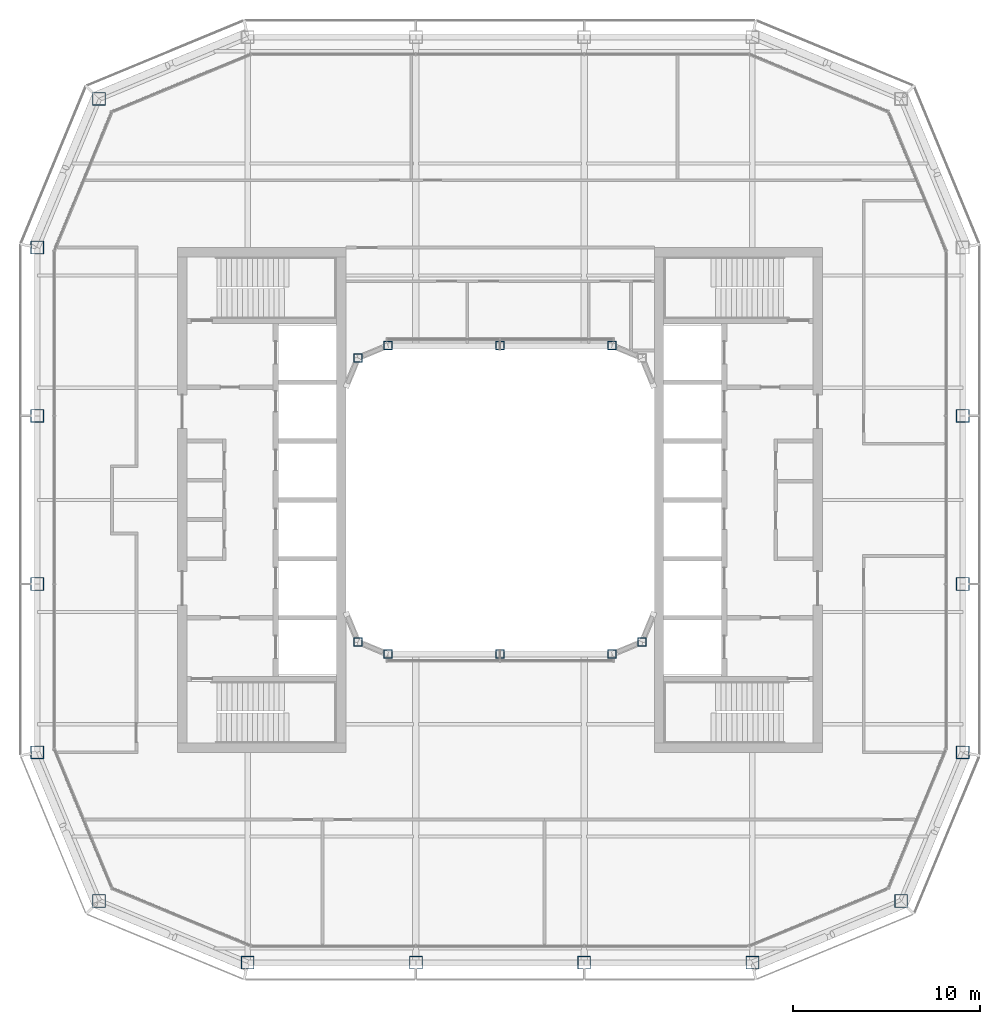
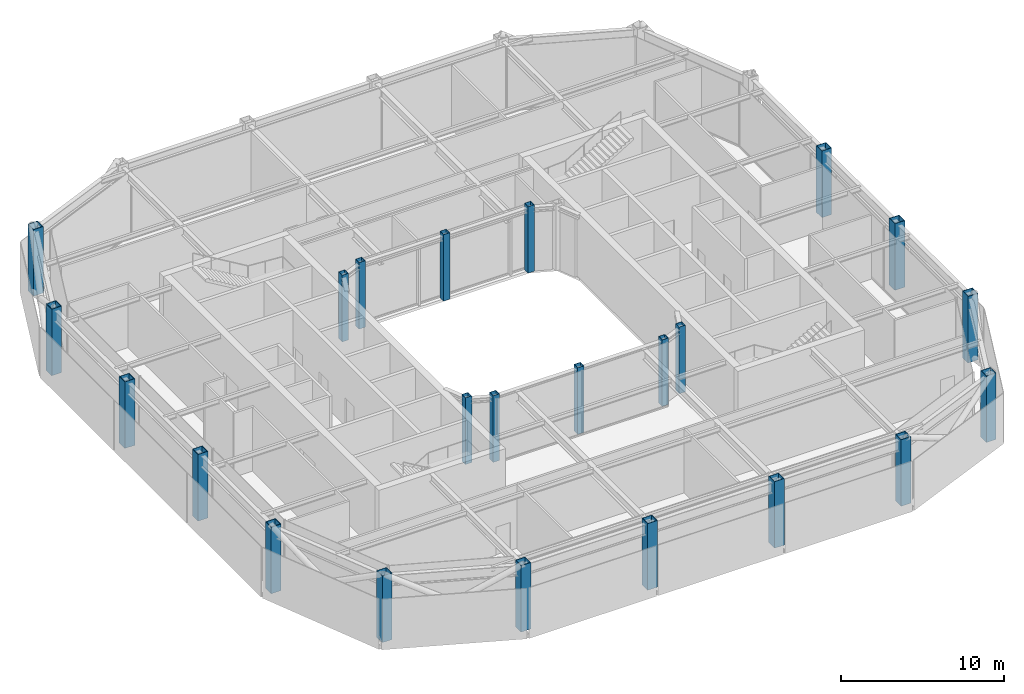
# One storey, part 1 of 17: 23 columns.
"""IFC4 building model written with IfcOpenShell, lengths in metres."""

from ifc_helpers import new_model, si_unit, direction, frame, origin, origin_2d, place, context, subcontext, project, spatial, hollow_rectangle, extrude, material, material_profile, profile_set, type_object, element, save


model = new_model("IFC4")

# Units and contexts
model_context = context("Model", 3, precision=1e-05, world=origin(), true_north=direction((0.0, 1.0)))
body_context = subcontext(model_context, "Body", "Model", "MODEL_VIEW")
ifc_project = project(units=[si_unit("LENGTHUNIT", "METRE"), si_unit("AREAUNIT", "SQUARE_METRE"), si_unit("VOLUMEUNIT", "CUBIC_METRE"), si_unit("PLANEANGLEUNIT", "RADIAN"), si_unit("MASSUNIT", "GRAM", prefix="KILO")], contexts=[model_context])

# Site, building, storey
site_placement = place(None, origin())
site = spatial("IfcSite", under=ifc_project, at=site_placement, CompositionType="ELEMENT")
building_placement = place(site_placement, origin())
building = spatial("IfcBuilding", under=site, at=building_placement, Name="Siwar Civic Tower", CompositionType="ELEMENT")
storey_placement = place(building_placement, frame((0.0, 0.0, 348.199951171875)))
storey = spatial("IfcBuildingStorey", under=building, at=storey_placement, Name="L75", CompositionType="ELEMENT", Elevation=348.199951171875)

# Columns
ifc_material_1 = material(Name="Steel S355", Category="steel")
ifc_material_profile_1 = material_profile(ifc_material_1, hollow_rectangle(XDim=0.699951171875, YDim=0.699951171875, WallThickness=0.035888671875, at=origin_2d()), Name="BOX700x700x36")
ifc_profile_set_1 = profile_set([ifc_material_profile_1], Name="Steel S355")
column_type_1 = type_object("IfcColumnType", Name="STR-COL-BOX700x700x36", PredefinedType="COLUMN", material=ifc_profile_set_1)
for number, where, z_axis, x_axis, name in (
    (1, (-13.5, -24.75, 0.0), (0.0, 0.0, 1.0), (1.0, 0.0, 0.0), "L75/col/S-0"),
    (2, (-4.5, -24.75, 0.0), (0.0, 0.0, 1.0), (1.0, 0.0, 0.0), "L75/col/S-1"),
    (3, (4.5, -24.75, 0.0), (0.0, 0.0, 1.0), (1.0, 0.0, 0.0), "L75/col/S-2"),
    (4, (13.5, -24.75, 0.0), (0.0, 0.0, 1.0), (1.0, 0.0, 0.0), "L75/col/SE1-0"),
    (5, (21.454833984375, -21.454833984375, 0.0), (0.0, 0.0, 1.0), (1.0, 0.0, 0.0), "L75/col/SE2-0"),
    (6, (24.75, -13.5, 0.0), (0.0, 0.0, 1.0), (1.0, 0.0, 0.0), "L75/col/E-0"),
    (7, (24.75, -4.5, 0.0), (0.0, 0.0, 1.0), (1.0, 0.0, 0.0), "L75/col/E-1"),
    (8, (24.75, 4.5, 0.0), (0.0, 0.0, 1.0), (1.0, 0.0, 0.0), "L75/col/E-2"),
    (9, (-21.454833984375, 21.454833984375, 0.0), (0.0, 0.0, 1.0), (1.0, 0.0, 0.0), "L75/col/NW2-0"),
    (10, (-24.75, 13.5, 0.0), (0.0, 0.0, 1.0), (1.0, 0.0, 0.0), "L75/col/W-0"),
    (11, (-24.75, 4.5, 0.0), (0.0, 0.0, 1.0), (1.0, 0.0, 0.0), "L75/col/W-1"),
    (12, (-24.75, -4.5, 0.0), (0.0, 0.0, 1.0), (1.0, 0.0, 0.0), "L75/col/W-2"),
    (13, (-24.75, -13.5, 0.0), (0.0, 0.0, 1.0), (1.0, 0.0, 0.0), "L75/col/SW1-0"),
    (14, (-21.454833984375, -21.454833984375, 0.0), (0.0, 0.0, 1.0), (1.0, 0.0, 0.0), "L75/col/SW2-0"),
):
    element("IfcColumn", number, at=place(storey_placement, frame(where, z_axis=z_axis, x_axis=x_axis)), inside=storey, type_object=column_type_1, Name=name, PredefinedType="COLUMN", context=body_context, shape_type="SweptSolid", body=[
        extrude(hollow_rectangle(XDim=0.699951171875, YDim=0.699951171875, WallThickness=0.035888671875, at=origin_2d()), origin(), (0.0, 0.0, 1.0), 5.0),
    ])
ifc_material_2 = material(Name="Steel S355", Category="steel")
ifc_material_profile_2 = material_profile(ifc_material_2, hollow_rectangle(XDim=0.449951171875, YDim=0.449951171875, WallThickness=0.02197265625, at=origin_2d()), Name="BOX450x450x22")
ifc_profile_set_2 = profile_set([ifc_material_profile_2], Name="Steel S355")
column_type_2 = type_object("IfcColumnType", Name="STR-ICOL-BOX450x450x22", PredefinedType="COLUMN", material=ifc_profile_set_2)
for number, where, z_axis, x_axis, name in (
    (15, (-7.591064453125, -7.591064453125, 0.0), (0.0, 0.0, 1.0), (1.0, 0.0, 0.0), "L75/col/IS-0"),
    (16, (-6.0, -8.25, 0.0), (0.0, 0.0, 1.0), (1.0, 0.0, 0.0), "L75/col/IS-1"),
    (17, (0.0, -8.25, 0.0), (0.0, 0.0, 1.0), (1.0, 0.0, 0.0), "L75/col/IS-2"),
    (18, (6.0, -8.25, 0.0), (0.0, 0.0, 1.0), (1.0, 0.0, 0.0), "L75/col/IS-3"),
    (19, (7.591064453125, -7.591064453125, 0.0), (0.0, 0.0, 1.0), (1.0, 0.0, 0.0), "L75/col/IS-4"),
    (20, (-7.591064453125, 7.591064453125, 0.0), (0.0, 0.0, 1.0), (1.0, 0.0, 0.0), "L75/col/IN-0"),
    (21, (-6.0, 8.25, 0.0), (0.0, 0.0, 1.0), (1.0, 0.0, 0.0), "L75/col/IN-1"),
    (22, (0.0, 8.25, 0.0), (0.0, 0.0, 1.0), (1.0, 0.0, 0.0), "L75/col/IN-2"),
    (23, (6.0, 8.25, 0.0), (0.0, 0.0, 1.0), (1.0, 0.0, 0.0), "L75/col/IN-3"),
):
    element("IfcColumn", number, at=place(storey_placement, frame(where, z_axis=z_axis, x_axis=x_axis)), inside=storey, type_object=column_type_2, Name=name, PredefinedType="COLUMN", context=body_context, shape_type="SweptSolid", body=[
        extrude(hollow_rectangle(XDim=0.449951171875, YDim=0.449951171875, WallThickness=0.02197265625, at=origin_2d()), origin(), (0.0, 0.0, 1.0), 5.0),
    ])

save(model, "model.ifc")
